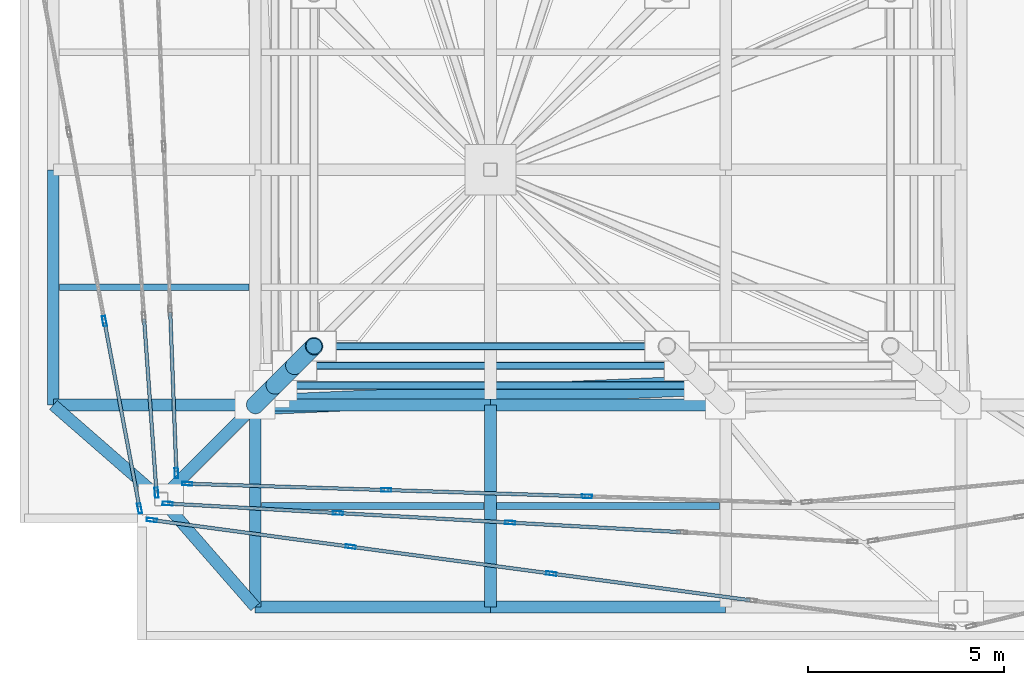
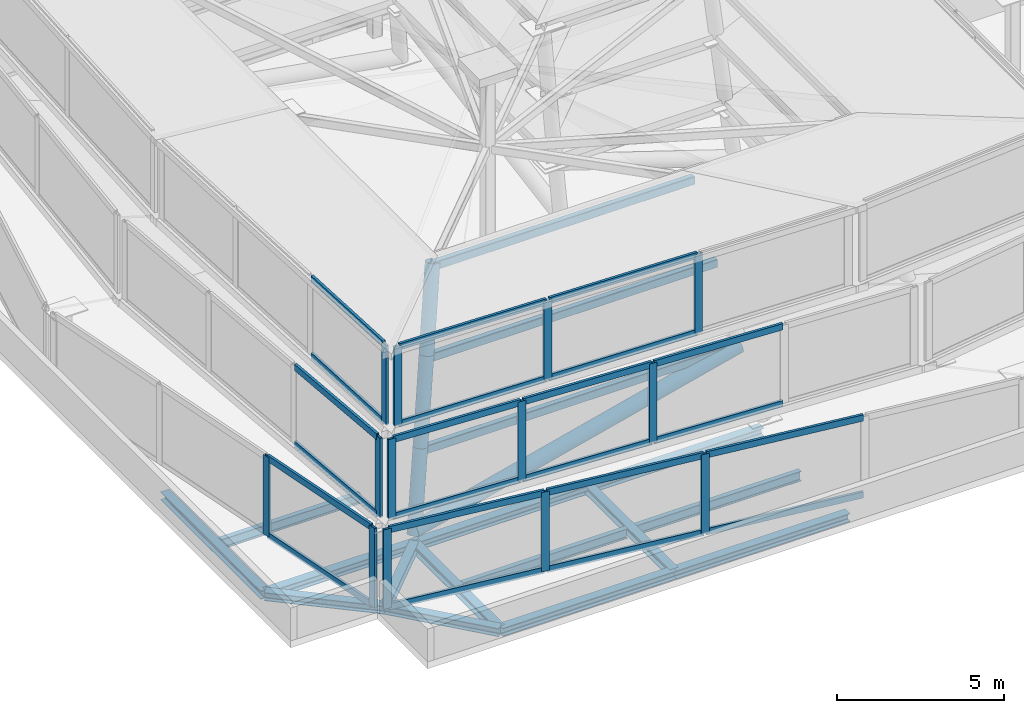
# One storey, part 2 of 15: 39 members, 17 beams, 6 elements without a shape of their own.
"""IFC4 building model written with IfcOpenShell, lengths in metres."""

from ifc_helpers import new_model, si_unit, direction, frame, origin, origin_2d, place, context, subcontext, project, spatial, hollow_rectangle, hollow_circle, i_section, extrude, material, layer, layer_set, material_profile, profile_set, type_object, element, aggregate, save


model = new_model("IFC4")

# Units and contexts
model_context = context("Model", 3, precision=1e-05, world=origin(), true_north=direction((0.0, 1.0)))
body_context = subcontext(model_context, "Body", "Model", "MODEL_VIEW")
ifc_project = project(units=[si_unit("LENGTHUNIT", "METRE"), si_unit("AREAUNIT", "SQUARE_METRE"), si_unit("VOLUMEUNIT", "CUBIC_METRE"), si_unit("PLANEANGLEUNIT", "RADIAN"), si_unit("MASSUNIT", "GRAM", prefix="KILO"), si_unit("THERMODYNAMICTEMPERATUREUNIT", "KELVIN"), si_unit("POWERUNIT", "WATT")], contexts=[model_context])

# Site, building, storey
site_placement = place(None, origin())
site = spatial("IfcSite", under=ifc_project, at=site_placement, CompositionType="ELEMENT")
building_placement = place(site_placement, origin())
building = spatial("IfcBuilding", under=site, at=building_placement, Name="Svarakhadi Broadcast Tower", CompositionType="ELEMENT")
storey_placement = place(building_placement, frame((0.0, 0.0, 310.5)))
storey = spatial("IfcBuildingStorey", under=building, at=storey_placement, Name="RF", CompositionType="ELEMENT", Elevation=310.5)

# Beams
ifc_material_1 = material(Name="Steel S355J2 (IS 2062 E350C)", Category="steel")
ifc_material_profile_1 = material_profile(ifc_material_1, i_section(OverallWidth=0.169921875, OverallDepth=0.360107421875, WebThickness=0.008056640625, FlangeThickness=0.0126953125, FilletRadius=0.01806640625, at=origin_2d()), Name="NPB 360x170x57")
ifc_profile_set_1 = profile_set([ifc_material_profile_1], Name="Steel S355J2 (IS 2062 E350C)")
beam_type_1 = type_object("IfcBeamType", Name="Beam_NPB360", PredefinedType="BEAM", material=ifc_profile_set_1)
beam_1_placement = place(storey_placement, frame((1.010009765625, 9.0, -0.429931640625), z_axis=(1.0, 0.0, 0.0), x_axis=(0.0, 1.0, 0.0)))
element("IfcBeam", 1, at=beam_1_placement, inside=storey, type_object=beam_type_1, Name="RF Secondary Composite Beam SB001", PredefinedType="BEAM", context=body_context, shape_type="SweptSolid", body=[
    extrude(i_section(OverallWidth=0.169921875, OverallDepth=0.360107421875, WebThickness=0.008056640625, FlangeThickness=0.0126953125, FilletRadius=0.01806640625, at=origin_2d()), origin(), (0.0, 0.0, 1.0), 4.830078125),
])
for number, where, z_axis, x_axis, name in (
    (2, (6.159912109375, 3.425048828125, -0.429931640625), (1.0, 0.0, 0.0), (0.0, 1.0, 0.0), "RF Secondary Composite Beam SB004"),
    (3, (12.159912109375, 3.425048828125, -0.429931640625), (1.0, 0.0, 0.0), (0.0, 1.0, 0.0), "RF Secondary Composite Beam SB007"),
):
    element("IfcBeam", number, at=place(storey_placement, frame(where, z_axis=z_axis, x_axis=x_axis)), inside=storey, type_object=beam_type_1, Name=name, PredefinedType="BEAM", context=body_context, shape_type="SweptSolid", body=[
        extrude(i_section(OverallWidth=0.169921875, OverallDepth=0.360107421875, WebThickness=0.008056640625, FlangeThickness=0.0126953125, FilletRadius=0.01806640625, at=origin_2d()), origin(), (0.0, 0.0, 1.0), 5.68017578125),
    ])

# Curtain wall, members
ifc_material_2 = material(Name="Anodised Bronze Aluminium AA 6063-T6", Category="aluminium")
ifc_layer = layer(ifc_material_2, 0.260009765625)
ifc_layer_set = layer_set([ifc_layer], Name="Anodised Bronze Aluminium AA 6063-T6")
curtain_wall_type = type_object("IfcCurtainWallType", Name="CW_Sys_07", PredefinedType="NOTDEFINED", material=ifc_layer_set)
curtain_wall_1_placement = place(storey_placement, origin())
curtain_wall_1 = element("IfcCurtainWall", 4, at=curtain_wall_1_placement, inside=storey, type_object=curtain_wall_type, Name="Crown Tier 1 Faceted Curtain Wall 1", PredefinedType="NOTDEFINED")
ifc_material_profile_2 = material_profile(ifc_material_2, hollow_rectangle(XDim=0.090087890625, YDim=0.260009765625, WallThickness=0.005615234375, at=origin_2d()), Name="ALU MULLION 260x90x6")
ifc_profile_set_2 = profile_set([ifc_material_profile_2], Name="Anodised Bronze Aluminium AA 6063-T6")
member_type_1 = type_object("IfcMemberType", Name="CW_Sys_07_Mul", PredefinedType="MULLION", material=ifc_profile_set_2)
member_1_placement = place(storey_placement, frame((3.36279296875, 3.06494140625, 0.0), z_axis=(0.0, 0.0, 1.0), x_axis=(0.132786779994, 0.991144626711, 0.0)))
member_1 = element("IfcMember", 5, at=member_1_placement, type_object=member_type_1, Name="CW-07 mullion 1", PredefinedType="MULLION", context=body_context, shape_type="SweptSolid", body=[
    extrude(hollow_rectangle(XDim=0.090087890625, YDim=0.260009765625, WallThickness=0.005615234375, at=origin_2d()), origin(), (0.0, 0.0, 1.0), 2.89990234375),
])
member_2_placement = place(storey_placement, frame((8.43408203125, 2.385498046875, 0.0), z_axis=(0.0, 0.0, 1.0), x_axis=(0.132786779994, 0.991144626711, 0.0)))
member_2 = element("IfcMember", 6, at=member_2_placement, type_object=member_type_1, Name="CW-07 mullion 2", PredefinedType="MULLION", context=body_context, shape_type="SweptSolid", body=[
    extrude(hollow_rectangle(XDim=0.090087890625, YDim=0.260009765625, WallThickness=0.005615234375, at=origin_2d()), origin(), (0.0, 0.0, 1.0), 2.89990234375),
])
member_3_placement = place(storey_placement, frame((13.550048828125, 1.699951171875, 0.0), z_axis=(0.0, 0.0, 1.0), x_axis=(0.132786779994, 0.991144626711, 0.0)))
member_3 = element("IfcMember", 7, at=member_3_placement, type_object=member_type_1, Name="CW-07 mullion 3", PredefinedType="MULLION", context=body_context, shape_type="SweptSolid", body=[
    extrude(hollow_rectangle(XDim=0.090087890625, YDim=0.260009765625, WallThickness=0.005615234375, at=origin_2d()), origin(), (0.0, 0.0, 1.0), 2.89990234375),
])

curtain_wall_2_placement = place(storey_placement, origin())
curtain_wall_2 = element("IfcCurtainWall", 8, at=curtain_wall_2_placement, inside=storey, type_object=curtain_wall_type, Name="Crown Tier 1 Faceted Curtain Wall 8", PredefinedType="NOTDEFINED")
member_4_placement = place(storey_placement, frame((2.153076171875, 8.138671875, 0.0), z_axis=(0.0, 0.0, 1.0), x_axis=(0.982796739927, 0.184690465344, 0.0)))
member_4 = element("IfcMember", 9, at=member_4_placement, type_object=member_type_1, Name="CW-07 mullion 3", PredefinedType="MULLION", context=body_context, shape_type="SweptSolid", body=[
    extrude(hollow_rectangle(XDim=0.090087890625, YDim=0.260009765625, WallThickness=0.005615234375, at=origin_2d()), origin(), (0.0, 0.0, 1.0), 2.89990234375),
])
member_5_placement = place(storey_placement, frame((3.051025390625, 3.3603515625, 0.0), z_axis=(0.0, 0.0, 1.0), x_axis=(0.982796739927, 0.184690465344, 0.0)))
member_5 = element("IfcMember", 10, at=member_5_placement, type_object=member_type_1, Name="CW-07 mullion 4", PredefinedType="MULLION", context=body_context, shape_type="SweptSolid", body=[
    extrude(hollow_rectangle(XDim=0.090087890625, YDim=0.260009765625, WallThickness=0.005615234375, at=origin_2d()), origin(), (0.0, 0.0, 1.0), 2.89990234375),
])

curtain_wall_3_placement = place(storey_placement, origin())
curtain_wall_3 = element("IfcCurtainWall", 11, at=curtain_wall_3_placement, inside=storey, type_object=curtain_wall_type, Name="Crown Tier 2 Faceted Curtain Wall 1", PredefinedType="NOTDEFINED")
member_6_placement = place(storey_placement, frame((3.7646484375, 3.4853515625, 2.89990234375), z_axis=(0.0, 0.0, 1.0), x_axis=(0.055470649433, 0.998460318216, 0.0)))
member_6 = element("IfcMember", 12, at=member_6_placement, type_object=member_type_1, Name="CW-07 mullion 1", PredefinedType="MULLION", context=body_context, shape_type="SweptSolid", body=[
    extrude(hollow_rectangle(XDim=0.090087890625, YDim=0.260009765625, WallThickness=0.005615234375, at=origin_2d()), origin(), (0.0, 0.0, 1.0), 2.900146484375),
])
member_7_placement = place(storey_placement, frame((8.10986328125, 3.243896484375, 2.89990234375), z_axis=(0.0, 0.0, 1.0), x_axis=(0.055470649433, 0.998460318216, 0.0)))
member_7 = element("IfcMember", 13, at=member_7_placement, type_object=member_type_1, Name="CW-07 mullion 2", PredefinedType="MULLION", context=body_context, shape_type="SweptSolid", body=[
    extrude(hollow_rectangle(XDim=0.090087890625, YDim=0.260009765625, WallThickness=0.005615234375, at=origin_2d()), origin(), (0.0, 0.0, 1.0), 2.900146484375),
])
member_8_placement = place(storey_placement, frame((12.5, 3.0, 2.89990234375), z_axis=(0.0, 0.0, 1.0), x_axis=(0.055470649433, 0.998460318216, 0.0)))
member_8 = element("IfcMember", 14, at=member_8_placement, type_object=member_type_1, Name="CW-07 mullion 3", PredefinedType="MULLION", context=body_context, shape_type="SweptSolid", body=[
    extrude(hollow_rectangle(XDim=0.090087890625, YDim=0.260009765625, WallThickness=0.005615234375, at=origin_2d()), origin(), (0.0, 0.0, 1.0), 2.900146484375),
])

# Curtain wall, member
curtain_wall_4_placement = place(storey_placement, origin())
curtain_wall_4 = element("IfcCurtainWall", 15, at=curtain_wall_4_placement, inside=storey, type_object=curtain_wall_type, Name="Crown Tier 2 Faceted Curtain Wall 8", PredefinedType="NOTDEFINED")
member_9_placement = place(storey_placement, frame((3.481201171875, 3.764404296875, 2.89990234375), z_axis=(0.0, 0.0, 1.0), x_axis=(0.997458998512, 0.071242868326, 0.0)))
member_9 = element("IfcMember", 16, at=member_9_placement, type_object=member_type_1, Name="CW-07 mullion 4", PredefinedType="MULLION", context=body_context, shape_type="SweptSolid", body=[
    extrude(hollow_rectangle(XDim=0.090087890625, YDim=0.260009765625, WallThickness=0.005615234375, at=origin_2d()), origin(), (0.0, 0.0, 1.0), 2.900146484375),
])

# Curtain wall, members
curtain_wall_5_placement = place(storey_placement, origin())
curtain_wall_5 = element("IfcCurtainWall", 17, at=curtain_wall_5_placement, inside=storey, type_object=curtain_wall_type, Name="Crown Tier 3 Faceted Curtain Wall 1", PredefinedType="NOTDEFINED")
member_10_placement = place(storey_placement, frame((4.264892578125, 3.991455078125, 5.800048828125), z_axis=(0.0, 0.0, 1.0), x_axis=(0.031624387345, 0.999499823974, 0.0)))
member_10 = element("IfcMember", 18, at=member_10_placement, type_object=member_type_1, Name="CW-07 mullion 1", PredefinedType="MULLION", context=body_context, shape_type="SweptSolid", body=[
    extrude(hollow_rectangle(XDim=0.090087890625, YDim=0.260009765625, WallThickness=0.005615234375, at=origin_2d()), origin(), (0.0, 0.0, 1.0), 2.89990234375),
])
member_11_placement = place(storey_placement, frame((9.340087890625, 3.8310546875, 5.800048828125), z_axis=(0.0, 0.0, 1.0), x_axis=(0.031624387345, 0.999499823974, 0.0)))
member_11 = element("IfcMember", 19, at=member_11_placement, type_object=member_type_1, Name="CW-07 mullion 2", PredefinedType="MULLION", context=body_context, shape_type="SweptSolid", body=[
    extrude(hollow_rectangle(XDim=0.090087890625, YDim=0.260009765625, WallThickness=0.005615234375, at=origin_2d()), origin(), (0.0, 0.0, 1.0), 2.89990234375),
])
member_12_placement = place(storey_placement, frame((14.4599609375, 3.6689453125, 5.800048828125), z_axis=(0.0, 0.0, 1.0), x_axis=(0.031624387345, 0.999499823974, 0.0)))
member_12 = element("IfcMember", 20, at=member_12_placement, type_object=member_type_1, Name="CW-07 mullion 3", PredefinedType="MULLION", context=body_context, shape_type="SweptSolid", body=[
    extrude(hollow_rectangle(XDim=0.090087890625, YDim=0.260009765625, WallThickness=0.005615234375, at=origin_2d()), origin(), (0.0, 0.0, 1.0), 2.89990234375),
])

# Curtain wall, member
curtain_wall_6_placement = place(storey_placement, origin())
curtain_wall_6 = element("IfcCurtainWall", 21, at=curtain_wall_6_placement, inside=storey, type_object=curtain_wall_type, Name="Crown Tier 3 Faceted Curtain Wall 8", PredefinedType="NOTDEFINED")
member_13_placement = place(storey_placement, frame((3.98974609375, 4.2646484375, 5.800048828125), z_axis=(0.0, 0.0, 1.0), x_axis=(0.999261456636, 0.038425789272, 0.0)))
member_13 = element("IfcMember", 22, at=member_13_placement, type_object=member_type_1, Name="CW-07 mullion 4", PredefinedType="MULLION", context=body_context, shape_type="SweptSolid", body=[
    extrude(hollow_rectangle(XDim=0.090087890625, YDim=0.260009765625, WallThickness=0.005615234375, at=origin_2d()), origin(), (0.0, 0.0, 1.0), 2.89990234375),
])

# Member
ifc_material_profile_3 = material_profile(ifc_material_2, hollow_rectangle(XDim=0.090087890625, YDim=0.22998046875, WallThickness=0.0048828125, at=origin_2d()), Name="ALU TRANSOM 230x90x5")
ifc_profile_set_3 = profile_set([ifc_material_profile_3], Name="Anodised Bronze Aluminium AA 6063-T6")
member_type_2 = type_object("IfcMemberType", Name="CW_Sys_07_Trn", PredefinedType="USERDEFINED", material=ifc_profile_set_3)
member_14_placement = place(storey_placement, frame((3.4072265625, 3.058837890625, 0.044921875), z_axis=(0.991144564862, -0.132787241649, 0.0), x_axis=(0.132787241649, 0.991144564862, 0.0)))
member_14 = element("IfcMember", 23, at=member_14_placement, type_object=member_type_2, Name="CW-07 transom 1.1", ObjectType="TRANSOM", PredefinedType="USERDEFINED", context=body_context, shape_type="SweptSolid", body=[
    extrude(hollow_rectangle(XDim=0.090087890625, YDim=0.22998046875, WallThickness=0.0048828125, at=origin_2d()), origin(), (0.0, 0.0, 1.0), 5.026611328125),
])

member_15_placement = place(storey_placement, frame((3.4072265625, 3.058837890625, 2.85498046875), z_axis=(0.991144564862, -0.132787241649, 0.0), x_axis=(0.132787241649, 0.991144564862, 0.0)))
member_15 = element("IfcMember", 24, at=member_15_placement, type_object=member_type_2, Name="CW-07 transom 1.2", ObjectType="TRANSOM", PredefinedType="USERDEFINED", context=body_context, shape_type="SweptSolid", body=[
    extrude(hollow_rectangle(XDim=0.090087890625, YDim=0.22998046875, WallThickness=0.0048828125, at=origin_2d()), origin(), (0.0, 0.0, 1.0), 5.026611328125),
])

member_16_placement = place(storey_placement, frame((8.478759765625, 2.37939453125, 0.044921875), z_axis=(0.991146992557, -0.132769119698, 0.0), x_axis=(0.132769119698, 0.991146992557, 0.0)))
member_16 = element("IfcMember", 25, at=member_16_placement, type_object=member_type_2, Name="CW-07 transom 2.1", ObjectType="TRANSOM", PredefinedType="USERDEFINED", context=body_context, shape_type="SweptSolid", body=[
    extrude(hollow_rectangle(XDim=0.090087890625, YDim=0.22998046875, WallThickness=0.0048828125, at=origin_2d()), origin(), (0.0, 0.0, 1.0), 5.071533203125),
])

member_17_placement = place(storey_placement, frame((8.478759765625, 2.37939453125, 2.85498046875), z_axis=(0.991146992557, -0.132769119698, 0.0), x_axis=(0.132769119698, 0.991146992557, 0.0)))
member_17 = element("IfcMember", 26, at=member_17_placement, type_object=member_type_2, Name="CW-07 transom 2.2", ObjectType="TRANSOM", PredefinedType="USERDEFINED", context=body_context, shape_type="SweptSolid", body=[
    extrude(hollow_rectangle(XDim=0.090087890625, YDim=0.22998046875, WallThickness=0.0048828125, at=origin_2d()), origin(), (0.0, 0.0, 1.0), 5.071533203125),
])

member_18_placement = place(storey_placement, frame((13.594482421875, 1.694091796875, 0.044921875), z_axis=(0.991141505722, -0.132810073545, 0.0), x_axis=(0.132810073545, 0.991141505722, 0.0)))
member_18 = element("IfcMember", 27, at=member_18_placement, type_object=member_type_2, Name="CW-07 transom 3.1", ObjectType="TRANSOM", PredefinedType="USERDEFINED", context=body_context, shape_type="SweptSolid", body=[
    extrude(hollow_rectangle(XDim=0.090087890625, YDim=0.22998046875, WallThickness=0.0048828125, at=origin_2d()), origin(), (0.0, 0.0, 1.0), 5.07177734375),
])

member_19_placement = place(storey_placement, frame((13.594482421875, 1.694091796875, 2.85498046875), z_axis=(0.991141505722, -0.132810073545, 0.0), x_axis=(0.132810073545, 0.991141505722, 0.0)))
member_19 = element("IfcMember", 28, at=member_19_placement, type_object=member_type_2, Name="CW-07 transom 3.2", ObjectType="TRANSOM", PredefinedType="USERDEFINED", context=body_context, shape_type="SweptSolid", body=[
    extrude(hollow_rectangle(XDim=0.090087890625, YDim=0.22998046875, WallThickness=0.0048828125, at=origin_2d()), origin(), (0.0, 0.0, 1.0), 5.07177734375),
])

aggregate(curtain_wall_1, [member_1, member_2, member_3, member_14, member_15, member_16, member_17, member_18, member_19])

member_20_placement = place(storey_placement, frame((2.161376953125, 8.094482421875, 0.044921875), z_axis=(0.184690082803, -0.982796811815, 0.0), x_axis=(0.982796811815, 0.184690082803, 0.0)))
member_20 = element("IfcMember", 29, at=member_20_placement, type_object=member_type_2, Name="CW-07 transom 3.1", ObjectType="TRANSOM", PredefinedType="USERDEFINED", context=body_context, shape_type="SweptSolid", body=[
    extrude(hollow_rectangle(XDim=0.090087890625, YDim=0.22998046875, WallThickness=0.0048828125, at=origin_2d()), origin(), (0.0, 0.0, 1.0), 4.77197265625),
])

member_21_placement = place(storey_placement, frame((2.161376953125, 8.094482421875, 2.85498046875), z_axis=(0.184690082803, -0.982796811815, 0.0), x_axis=(0.982796811815, 0.184690082803, 0.0)))
member_21 = element("IfcMember", 30, at=member_21_placement, type_object=member_type_2, Name="CW-07 transom 3.2", ObjectType="TRANSOM", PredefinedType="USERDEFINED", context=body_context, shape_type="SweptSolid", body=[
    extrude(hollow_rectangle(XDim=0.090087890625, YDim=0.22998046875, WallThickness=0.0048828125, at=origin_2d()), origin(), (0.0, 0.0, 1.0), 4.77197265625),
])

aggregate(curtain_wall_2, [member_4, member_5, member_20, member_21])

member_22_placement = place(storey_placement, frame((3.8095703125, 3.48291015625, 2.945068359375), z_axis=(0.998458237382, -0.055508091338, 0.0), x_axis=(0.055508091338, 0.998458237382, 0.0)))
member_22 = element("IfcMember", 31, at=member_22_placement, type_object=member_type_2, Name="CW-07 transom 1.1", ObjectType="TRANSOM", PredefinedType="USERDEFINED", context=body_context, shape_type="SweptSolid", body=[
    extrude(hollow_rectangle(XDim=0.090087890625, YDim=0.22998046875, WallThickness=0.0048828125, at=origin_2d()), origin(), (0.0, 0.0, 1.0), 4.261962890625),
])

member_23_placement = place(storey_placement, frame((3.8095703125, 3.48291015625, 5.7548828125), z_axis=(0.998458237382, -0.055508091338, 0.0), x_axis=(0.055508091338, 0.998458237382, 0.0)))
member_23 = element("IfcMember", 32, at=member_23_placement, type_object=member_type_2, Name="CW-07 transom 1.2", ObjectType="TRANSOM", PredefinedType="USERDEFINED", context=body_context, shape_type="SweptSolid", body=[
    extrude(hollow_rectangle(XDim=0.090087890625, YDim=0.22998046875, WallThickness=0.0048828125, at=origin_2d()), origin(), (0.0, 0.0, 1.0), 4.261962890625),
])

member_24_placement = place(storey_placement, frame((8.15478515625, 3.241455078125, 2.945068359375), z_axis=(0.998458957553, -0.055495135656, 0.0), x_axis=(0.055495135656, 0.998458957553, 0.0)))
member_24 = element("IfcMember", 33, at=member_24_placement, type_object=member_type_2, Name="CW-07 transom 2.1", ObjectType="TRANSOM", PredefinedType="USERDEFINED", context=body_context, shape_type="SweptSolid", body=[
    extrude(hollow_rectangle(XDim=0.090087890625, YDim=0.22998046875, WallThickness=0.0048828125, at=origin_2d()), origin(), (0.0, 0.0, 1.0), 4.306884765625),
])

member_25_placement = place(storey_placement, frame((8.15478515625, 3.241455078125, 5.7548828125), z_axis=(0.998458957553, -0.055495135656, 0.0), x_axis=(0.055495135656, 0.998458957553, 0.0)))
member_25 = element("IfcMember", 34, at=member_25_placement, type_object=member_type_2, Name="CW-07 transom 2.2", ObjectType="TRANSOM", PredefinedType="USERDEFINED", context=body_context, shape_type="SweptSolid", body=[
    extrude(hollow_rectangle(XDim=0.090087890625, YDim=0.22998046875, WallThickness=0.0048828125, at=origin_2d()), origin(), (0.0, 0.0, 1.0), 4.306884765625),
])

member_26_placement = place(storey_placement, frame((12.544921875, 2.99755859375, 2.945068359375), z_axis=(0.998458957553, -0.055495135656, 0.0), x_axis=(0.055495135656, 0.998458957553, 0.0)))
member_26 = element("IfcMember", 35, at=member_26_placement, type_object=member_type_2, Name="CW-07 transom 3.1", ObjectType="TRANSOM", PredefinedType="USERDEFINED", context=body_context, shape_type="SweptSolid", body=[
    extrude(hollow_rectangle(XDim=0.090087890625, YDim=0.22998046875, WallThickness=0.0048828125, at=origin_2d()), origin(), (0.0, 0.0, 1.0), 4.306884765625),
])

member_27_placement = place(storey_placement, frame((12.544921875, 2.99755859375, 5.7548828125), z_axis=(0.998458957553, -0.055495135656, 0.0), x_axis=(0.055495135656, 0.998458957553, 0.0)))
member_27 = element("IfcMember", 36, at=member_27_placement, type_object=member_type_2, Name="CW-07 transom 3.2", ObjectType="TRANSOM", PredefinedType="USERDEFINED", context=body_context, shape_type="SweptSolid", body=[
    extrude(hollow_rectangle(XDim=0.090087890625, YDim=0.22998046875, WallThickness=0.0048828125, at=origin_2d()), origin(), (0.0, 0.0, 1.0), 4.306884765625),
])

aggregate(curtain_wall_3, [member_6, member_7, member_8, member_22, member_23, member_24, member_25, member_26, member_27])

member_28_placement = place(storey_placement, frame((3.16455078125, 8.19482421875, 2.945068359375), z_axis=(0.071239158043, -0.99745926351, 0.0), x_axis=(0.99745926351, 0.071239158043, 0.0)))
member_28 = element("IfcMember", 37, at=member_28_placement, type_object=member_type_2, Name="CW-07 transom 3.1", ObjectType="TRANSOM", PredefinedType="USERDEFINED", context=body_context, shape_type="SweptSolid", body=[
    extrude(hollow_rectangle(XDim=0.090087890625, YDim=0.22998046875, WallThickness=0.0048828125, at=origin_2d()), origin(), (0.0, 0.0, 1.0), 4.39697265625),
])

member_29_placement = place(storey_placement, frame((3.16455078125, 8.19482421875, 5.7548828125), z_axis=(0.071239158043, -0.99745926351, 0.0), x_axis=(0.99745926351, 0.071239158043, 0.0)))
member_29 = element("IfcMember", 38, at=member_29_placement, type_object=member_type_2, Name="CW-07 transom 3.2", ObjectType="TRANSOM", PredefinedType="USERDEFINED", context=body_context, shape_type="SweptSolid", body=[
    extrude(hollow_rectangle(XDim=0.090087890625, YDim=0.22998046875, WallThickness=0.0048828125, at=origin_2d()), origin(), (0.0, 0.0, 1.0), 4.39697265625),
])

aggregate(curtain_wall_4, [member_9, member_28, member_29])

member_30_placement = place(storey_placement, frame((4.309814453125, 3.990234375, 5.844970703125), z_axis=(0.999499919139, -0.031621379488, 0.0), x_axis=(0.031621379488, 0.999499919139, 0.0)))
member_30 = element("IfcMember", 39, at=member_30_placement, type_object=member_type_2, Name="CW-07 transom 1.1", ObjectType="TRANSOM", PredefinedType="USERDEFINED", context=body_context, shape_type="SweptSolid", body=[
    extrude(hollow_rectangle(XDim=0.090087890625, YDim=0.22998046875, WallThickness=0.0048828125, at=origin_2d()), origin(), (0.0, 0.0, 1.0), 4.987548828125),
])

member_31_placement = place(storey_placement, frame((4.309814453125, 3.990234375, 8.655029296875), z_axis=(0.999499919139, -0.031621379488, 0.0), x_axis=(0.031621379488, 0.999499919139, 0.0)))
member_31 = element("IfcMember", 40, at=member_31_placement, type_object=member_type_2, Name="CW-07 transom 1.2", ObjectType="TRANSOM", PredefinedType="USERDEFINED", context=body_context, shape_type="SweptSolid", body=[
    extrude(hollow_rectangle(XDim=0.090087890625, YDim=0.22998046875, WallThickness=0.0048828125, at=origin_2d()), origin(), (0.0, 0.0, 1.0), 4.987548828125),
])

member_32_placement = place(storey_placement, frame((9.385009765625, 3.82958984375, 5.844970703125), z_axis=(0.999499645024, -0.031630042642, 0.0), x_axis=(0.031630042642, 0.999499645024, 0.0)))
member_32 = element("IfcMember", 41, at=member_32_placement, type_object=member_type_2, Name="CW-07 transom 2.1", ObjectType="TRANSOM", PredefinedType="USERDEFINED", context=body_context, shape_type="SweptSolid", body=[
    extrude(hollow_rectangle(XDim=0.090087890625, YDim=0.22998046875, WallThickness=0.0048828125, at=origin_2d()), origin(), (0.0, 0.0, 1.0), 5.032470703125),
])

member_33_placement = place(storey_placement, frame((9.385009765625, 3.82958984375, 8.655029296875), z_axis=(0.999499645024, -0.031630042642, 0.0), x_axis=(0.031630042642, 0.999499645024, 0.0)))
member_33 = element("IfcMember", 42, at=member_33_placement, type_object=member_type_2, Name="CW-07 transom 2.2", ObjectType="TRANSOM", PredefinedType="USERDEFINED", context=body_context, shape_type="SweptSolid", body=[
    extrude(hollow_rectangle(XDim=0.090087890625, YDim=0.22998046875, WallThickness=0.0048828125, at=origin_2d()), origin(), (0.0, 0.0, 1.0), 5.032470703125),
])

aggregate(curtain_wall_5, [member_10, member_11, member_12, member_30, member_31, member_32, member_33])

member_34_placement = place(storey_placement, frame((3.832275390625, 8.361572265625, 5.844970703125), z_axis=(0.038414622996, -0.999261885964, 0.0), x_axis=(0.999261885964, 0.038414622996, 0.0)))
member_34 = element("IfcMember", 43, at=member_34_placement, type_object=member_type_2, Name="CW-07 transom 3.1", ObjectType="TRANSOM", PredefinedType="USERDEFINED", context=body_context, shape_type="SweptSolid", body=[
    extrude(hollow_rectangle(XDim=0.090087890625, YDim=0.22998046875, WallThickness=0.0048828125, at=origin_2d()), origin(), (0.0, 0.0, 1.0), 4.0546875),
])

member_35_placement = place(storey_placement, frame((3.832275390625, 8.361572265625, 8.655029296875), z_axis=(0.038414622996, -0.999261885964, 0.0), x_axis=(0.999261885964, 0.038414622996, 0.0)))
member_35 = element("IfcMember", 44, at=member_35_placement, type_object=member_type_2, Name="CW-07 transom 3.2", ObjectType="TRANSOM", PredefinedType="USERDEFINED", context=body_context, shape_type="SweptSolid", body=[
    extrude(hollow_rectangle(XDim=0.090087890625, YDim=0.22998046875, WallThickness=0.0048828125, at=origin_2d()), origin(), (0.0, 0.0, 1.0), 4.0546875),
])

aggregate(curtain_wall_6, [member_13, member_34, member_35])

# Members
ifc_material_3 = material(Name="Steel S460ML (IS 2062 E450BR)", Category="steel")
ifc_material_profile_4 = material_profile(ifc_material_3, hollow_circle(Radius=0.228515625, WallThickness=0.02490234375, at=origin_2d()), Name="CHS 457x25")
ifc_profile_set_4 = profile_set([ifc_material_profile_4], Name="Steel S460ML (IS 2062 E450BR)")
member_type_3 = type_object("IfcMemberType", Name="Crown_Spire_CHS457", PredefinedType="BRACE", material=ifc_profile_set_4)
member_36_placement = place(storey_placement, frame((6.0, 6.0, 0.0), z_axis=(0.177911828824, 0.177911828824, 0.967829924279), x_axis=(-0.707106781187, 0.707106781187, 0.0)))
element("IfcMember", 45, at=member_36_placement, inside=storey, type_object=member_type_3, Name="Crown Structural Spire Frame Chord SL-01-01", PredefinedType="BRACE", context=body_context, shape_type="SweptSolid", body=[
    extrude(hollow_circle(Radius=0.228515625, WallThickness=0.02490234375, at=origin_2d()), origin(), (0.0, 0.0, 1.0), 2.810302734375),
])
member_37_placement = place(storey_placement, frame((6.5, 6.5, 2.719970703125), z_axis=(0.167498316665, 0.167498316665, 0.971539308432), x_axis=(-0.707106781187, 0.707106781187, 0.0)))
element("IfcMember", 46, at=member_37_placement, inside=storey, type_object=member_type_3, Name="Crown Structural Spire Frame Chord SL-01-09", PredefinedType="BRACE", context=body_context, shape_type="SweptSolid", body=[
    extrude(hollow_circle(Radius=0.228515625, WallThickness=0.02490234375, at=origin_2d()), origin(), (0.0, 0.0, 1.0), 2.985107421875),
])
member_38_placement = place(storey_placement, frame((7.0, 7.0, 5.6201171875), z_axis=(0.167511626872, 0.167511626872, 0.971534718744), x_axis=(-0.707106781187, 0.707106781187, 0.0)))
element("IfcMember", 47, at=member_38_placement, inside=storey, type_object=member_type_3, Name="Crown Structural Spire Frame Chord SL-01-17", PredefinedType="BRACE", context=body_context, shape_type="SweptSolid", body=[
    extrude(hollow_circle(Radius=0.228515625, WallThickness=0.02490234375, at=origin_2d()), origin(), (0.0, 0.0, 1.0), 2.98486328125),
])
ifc_material_profile_5 = material_profile(ifc_material_3, hollow_circle(Radius=0.25390625, WallThickness=0.02490234375, at=origin_2d()), Name="CHS 508x25")
ifc_profile_set_5 = profile_set([ifc_material_profile_5], Name="Steel S460ML (IS 2062 E450BR)")
member_type_4 = type_object("IfcMemberType", Name="Exo_Brace_CHS508", PredefinedType="BRACE", material=ifc_profile_set_5)
member_39_placement = place(storey_placement, frame((6.0, 6.0, 0.14990234375), z_axis=(0.977680498633, 0.042507847767, 0.205752097124), x_axis=(-0.043437224276, 0.999056158355, 0.0)))
element("IfcMember", 48, at=member_39_placement, inside=storey, type_object=member_type_4, Name="Crown Tier 1 Diagonal Brace EX-05-01", PredefinedType="BRACE", context=body_context, shape_type="SweptSolid", body=[
    extrude(hollow_circle(Radius=0.25390625, WallThickness=0.02490234375, at=origin_2d()), origin(), (0.0, 0.0, 1.0), 11.762451171875),
])

# Beams
ifc_material_profile_6 = material_profile(ifc_material_1, i_section(OverallWidth=0.300048828125, OverallDepth=0.300048828125, WebThickness=0.010986328125, FlangeThickness=0.01904296875, FilletRadius=0.027099609375, at=origin_2d()), Name="WPB 300x300x117")
ifc_profile_set_6 = profile_set([ifc_material_profile_6], Name="Steel S355J2 (IS 2062 E350C)")
beam_type_2 = type_object("IfcBeamType", Name="Girder_WPB300", PredefinedType="USERDEFINED", material=ifc_profile_set_6)
beam_2_placement = place(storey_placement, frame((3.60009765625, 3.60009765625, -0.39990234375), z_axis=(0.707106781187, 0.707106781187, 0.0), x_axis=(-0.707106781187, 0.707106781187, 0.0)))
element("IfcBeam", 49, at=beam_2_placement, inside=storey, type_object=beam_type_2, Name="RF Corner Tie Girder G001", ObjectType="GIRDER", PredefinedType="USERDEFINED", context=body_context, shape_type="SweptSolid", body=[
    extrude(i_section(OverallWidth=0.300048828125, OverallDepth=0.300048828125, WebThickness=0.010986328125, FlangeThickness=0.01904296875, FilletRadius=0.027099609375, at=origin_2d()), origin(), (0.0, 0.0, 1.0), 3.39404296875),
])
for number, where, z_axis, x_axis, name in (
    (50, (3.60009765625, 3.60009765625, -0.39990234375), (-0.753437912176, 0.657519058655, 0.0), (-0.657519058655, -0.753437912176, 0.0), "RF Corner Tie Girder G002"),
    (51, (3.60009765625, 3.60009765625, -0.39990234375), (0.657519058655, -0.753437912176, 0.0), (0.753437912176, 0.657519058655, 0.0), "RF Corner Tie Girder G003"),
):
    element("IfcBeam", number, at=place(storey_placement, frame(where, z_axis=z_axis, x_axis=x_axis)), inside=storey, type_object=beam_type_2, Name=name, ObjectType="GIRDER", PredefinedType="USERDEFINED", context=body_context, shape_type="SweptSolid", body=[
        extrude(i_section(OverallWidth=0.300048828125, OverallDepth=0.300048828125, WebThickness=0.010986328125, FlangeThickness=0.01904296875, FilletRadius=0.027099609375, at=origin_2d()), origin(), (0.0, 0.0, 1.0), 3.64990234375),
    ])
for number, where, z_axis, x_axis, name in (
    (52, (6.0, 0.85009765625, -0.39990234375), (1.0, 0.0, 0.0), (0.0, 1.0, 0.0), "RF Primary E-W Girder G004"),
    (53, (12.0, 0.85009765625, -0.39990234375), (1.0, 0.0, 0.0), (0.0, 1.0, 0.0), "RF Primary E-W Girder G005"),
):
    element("IfcBeam", number, at=place(storey_placement, frame(where, z_axis=z_axis, x_axis=x_axis)), inside=storey, type_object=beam_type_2, Name=name, ObjectType="GIRDER", PredefinedType="USERDEFINED", context=body_context, shape_type="SweptSolid", body=[
        extrude(i_section(OverallWidth=0.300048828125, OverallDepth=0.300048828125, WebThickness=0.010986328125, FlangeThickness=0.01904296875, FilletRadius=0.027099609375, at=origin_2d()), origin(), (0.0, 0.0, 1.0), 6.0),
    ])
beam_3_placement = place(storey_placement, frame((0.85009765625, 6.0, -0.39990234375), z_axis=(1.0, 0.0, 0.0), x_axis=(0.0, 1.0, 0.0)))
element("IfcBeam", 54, at=beam_3_placement, inside=storey, type_object=beam_type_2, Name="RF Primary E-W Girder G008", ObjectType="GIRDER", PredefinedType="USERDEFINED", context=body_context, shape_type="SweptSolid", body=[
    extrude(i_section(OverallWidth=0.300048828125, OverallDepth=0.300048828125, WebThickness=0.010986328125, FlangeThickness=0.01904296875, FilletRadius=0.027099609375, at=origin_2d()), origin(), (0.0, 0.0, 1.0), 5.14990234375),
])
for number, where, z_axis, x_axis, name in (
    (55, (6.0, 6.0, -0.39990234375), (1.0, 0.0, 0.0), (0.0, 1.0, 0.0), "RF Primary E-W Girder G009"),
    (56, (12.0, 6.0, -0.39990234375), (1.0, 0.0, 0.0), (0.0, 1.0, 0.0), "RF Primary E-W Girder G010"),
    (57, (0.85009765625, 6.0, -0.39990234375), (0.0, 1.0, 0.0), (-1.0, 0.0, 0.0), "RF Primary N-S Girder G026"),
):
    element("IfcBeam", number, at=place(storey_placement, frame(where, z_axis=z_axis, x_axis=x_axis)), inside=storey, type_object=beam_type_2, Name=name, ObjectType="GIRDER", PredefinedType="USERDEFINED", context=body_context, shape_type="SweptSolid", body=[
        extrude(i_section(OverallWidth=0.300048828125, OverallDepth=0.300048828125, WebThickness=0.010986328125, FlangeThickness=0.01904296875, FilletRadius=0.027099609375, at=origin_2d()), origin(), (0.0, 0.0, 1.0), 6.0),
    ])
for number, where, z_axis, x_axis, name in (
    (58, (6.0, 0.85009765625, -0.39990234375), (0.0, 1.0, 0.0), (-1.0, 0.0, 0.0), "RF Primary N-S Girder G029"),
    (59, (12.0, 0.85009765625, -0.39990234375), (0.0, 1.0, 0.0), (-1.0, 0.0, 0.0), "RF Primary N-S Girder G033"),
):
    element("IfcBeam", number, at=place(storey_placement, frame(where, z_axis=z_axis, x_axis=x_axis)), inside=storey, type_object=beam_type_2, Name=name, ObjectType="GIRDER", PredefinedType="USERDEFINED", context=body_context, shape_type="SweptSolid", body=[
        extrude(i_section(OverallWidth=0.300048828125, OverallDepth=0.300048828125, WebThickness=0.010986328125, FlangeThickness=0.01904296875, FilletRadius=0.027099609375, at=origin_2d()), origin(), (0.0, 0.0, 1.0), 5.14990234375),
    ])
ifc_material_profile_7 = material_profile(ifc_material_3, hollow_rectangle(XDim=0.199951171875, YDim=0.300048828125, WallThickness=0.012451171875, InnerFilletRadius=0.012451171875, OuterFilletRadius=0.02490234375, at=origin_2d()), Name="RHS 300x200x12.5")
ifc_profile_set_7 = profile_set([ifc_material_profile_7], Name="Steel S460ML (IS 2062 E450BR)")
beam_type_3 = type_object("IfcBeamType", Name="Spandrel_RHS300", PredefinedType="SPANDREL", material=ifc_profile_set_7)
beam_4_placement = place(storey_placement, frame((6.5, 6.5, 2.570068359375), z_axis=(1.0, 0.0, 0.0), x_axis=(0.0, 1.0, 0.0)))
element("IfcBeam", 60, at=beam_4_placement, inside=storey, type_object=beam_type_3, Name="Crown Tier 1 Stiffening Ring Beam CR-R1-1", PredefinedType="SPANDREL", context=body_context, shape_type="SweptSolid", body=[
    extrude(hollow_rectangle(XDim=0.199951171875, YDim=0.300048828125, WallThickness=0.012451171875, InnerFilletRadius=0.012451171875, OuterFilletRadius=0.02490234375, at=origin_2d()), origin(), (0.0, 0.0, 1.0), 11.0),
])
beam_5_placement = place(storey_placement, frame((7.0, 7.0, 5.469970703125), z_axis=(1.0, 0.0, 0.0), x_axis=(0.0, 1.0, 0.0)))
element("IfcBeam", 61, at=beam_5_placement, inside=storey, type_object=beam_type_3, Name="Crown Tier 2 Stiffening Ring Beam CR-R2-1", PredefinedType="SPANDREL", context=body_context, shape_type="SweptSolid", body=[
    extrude(hollow_rectangle(XDim=0.199951171875, YDim=0.300048828125, WallThickness=0.012451171875, InnerFilletRadius=0.012451171875, OuterFilletRadius=0.02490234375, at=origin_2d()), origin(), (0.0, 0.0, 1.0), 10.0),
])
beam_6_placement = place(storey_placement, frame((7.5, 7.5, 8.3701171875), z_axis=(1.0, 0.0, 0.0), x_axis=(0.0, 1.0, 0.0)))
element("IfcBeam", 62, at=beam_6_placement, inside=storey, type_object=beam_type_3, Name="Crown Tier 3 Stiffening Ring Beam CR-R3-1", PredefinedType="SPANDREL", context=body_context, shape_type="SweptSolid", body=[
    extrude(hollow_rectangle(XDim=0.199951171875, YDim=0.300048828125, WallThickness=0.012451171875, InnerFilletRadius=0.012451171875, OuterFilletRadius=0.02490234375, at=origin_2d()), origin(), (0.0, 0.0, 1.0), 9.0),
])

save(model, "model.ifc")
